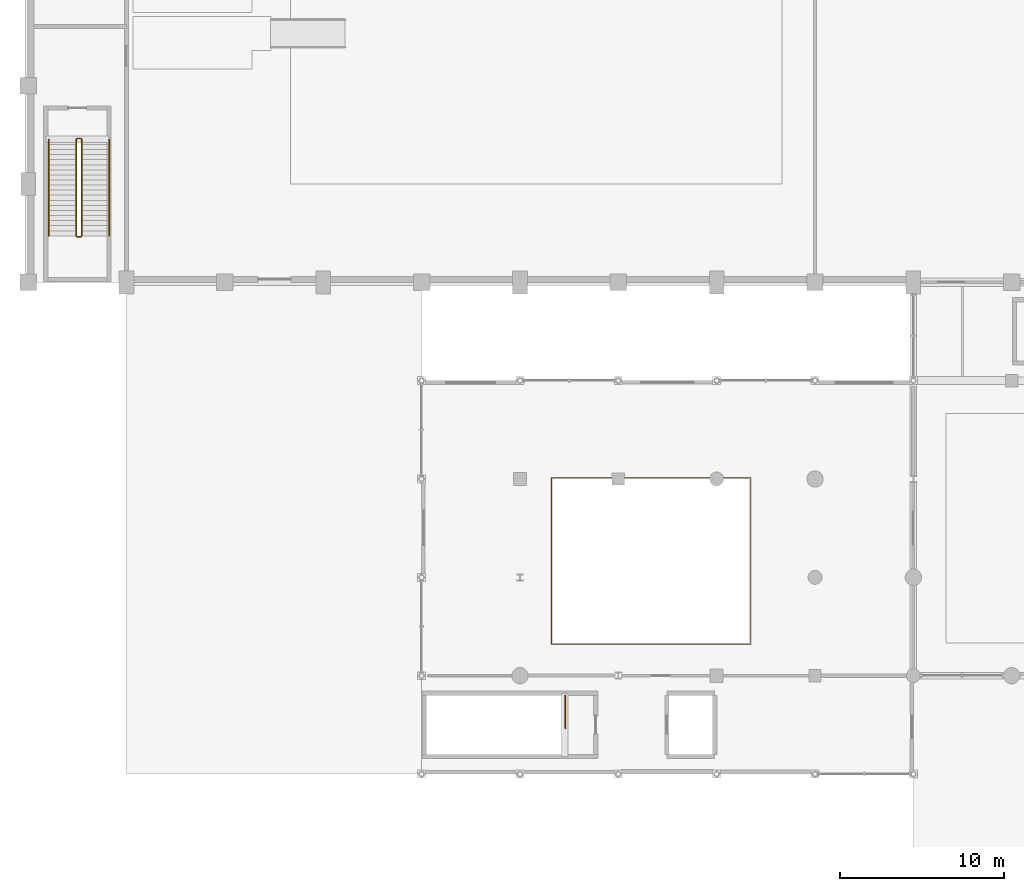
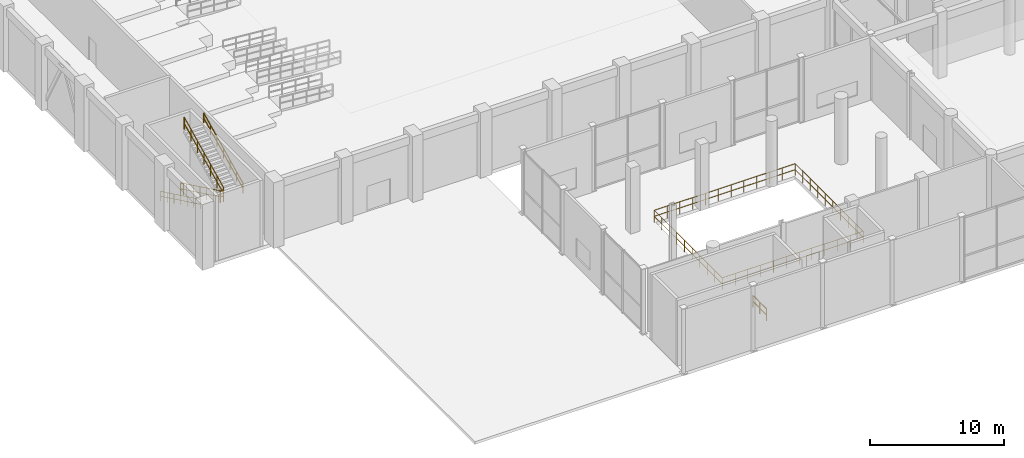
# One storey, part 97 of 106: 8 railings.
"""IFC4 building model written with IfcOpenShell, lengths in metres."""

from ifc_helpers import new_model, si_unit, direction, frame, origin, origin_2d, place, context, subcontext, project, spatial, circle, extrude, material, type_object, element, save


model = new_model("IFC4")

# Units and contexts
model_context = context("Model", 3, precision=1e-05, world=origin(), true_north=direction((0.0, 1.0)))
body_context = subcontext(model_context, "Body", "Model", "MODEL_VIEW")
ifc_project = project(units=[si_unit("LENGTHUNIT", "METRE"), si_unit("AREAUNIT", "SQUARE_METRE"), si_unit("VOLUMEUNIT", "CUBIC_METRE"), si_unit("PLANEANGLEUNIT", "RADIAN"), si_unit("MASSUNIT", "GRAM", prefix="KILO"), si_unit("THERMODYNAMICTEMPERATUREUNIT", "KELVIN"), si_unit("POWERUNIT", "WATT")], contexts=[model_context])

# Site, building, storey
site_placement = place(None, origin())
site = spatial("IfcSite", under=ifc_project, at=site_placement, CompositionType="ELEMENT")
building_placement = place(site_placement, origin())
building = spatial("IfcBuilding", under=site, at=building_placement, Name="Phaisarnlok Congress Hotel", CompositionType="ELEMENT")
storey_placement = place(building_placement, origin())
storey = spatial("IfcBuildingStorey", under=building, at=storey_placement, Name="L00", CompositionType="ELEMENT", Elevation=0.0)

# Railings
ifc_material_1 = material(Name="Laminated Glass & Stainless Steel Grade 316", Category="steel")
railing_type_1 = type_object("IfcRailingType", Name="RLG-INT-1100", PredefinedType="BALUSTRADE", material=ifc_material_1)
railing_1_placement = place(storey_placement, frame((44.080078125, 19.919921875, 0.0)))
element("IfcRailing", 1, at=railing_1_placement, inside=storey, type_object=railing_type_1, Name="Atrium gallery guard balustrade GD-02 (L00 v6_mrt)", PredefinedType="BALUSTRADE", context=body_context, shape_type="SweptSolid", body=[
    extrude(circle(Radius=0.02392578125, at=origin_2d()), frame((0.0, 0.0, 1.076171875), z_axis=(0.0, 1.0, 0.0), x_axis=(-1.0, 0.0, 0.0)), (0.0, 0.0, 1.0), 10.16015625),
    extrude(circle(Radius=0.02392578125, at=origin_2d()), frame((0.0, 0.0, 0.52587890625), z_axis=(0.0, 1.0, 0.0), x_axis=(-1.0, 0.0, 0.0)), (0.0, 0.0, 1.0), 10.16015625),
    extrude(circle(Radius=0.02392578125, at=origin_2d()), frame((0.0, 10.16015625, 1.076171875), z_axis=(-1.0, 0.0, 0.0), x_axis=(0.0, -1.0, 0.0)), (0.0, 0.0, 1.0), 12.16015625),
    extrude(circle(Radius=0.02392578125, at=origin_2d()), frame((0.0, 10.16015625, 0.52587890625), z_axis=(-1.0, 0.0, 0.0), x_axis=(0.0, -1.0, 0.0)), (0.0, 0.0, 1.0), 12.16015625),
    extrude(circle(Radius=0.02392578125, at=origin_2d()), frame((-12.16015625, 10.16015625, 1.076171875), z_axis=(0.0, -1.0, 0.0), x_axis=(1.0, 0.0, 0.0)), (0.0, 0.0, 1.0), 10.16015625),
    extrude(circle(Radius=0.02392578125, at=origin_2d()), frame((-12.16015625, 10.16015625, 0.52587890625), z_axis=(0.0, -1.0, 0.0), x_axis=(1.0, 0.0, 0.0)), (0.0, 0.0, 1.0), 10.16015625),
    extrude(circle(Radius=0.02392578125, at=origin_2d()), frame((-12.16015625, 0.0, 1.076171875), z_axis=(1.0, 0.0, 0.0), x_axis=(0.0, 1.0, 0.0)), (0.0, 0.0, 1.0), 12.16015625),
    extrude(circle(Radius=0.02392578125, at=origin_2d()), frame((-12.16015625, 0.0, 0.52587890625), z_axis=(1.0, 0.0, 0.0), x_axis=(0.0, 1.0, 0.0)), (0.0, 0.0, 1.0), 12.16015625),
    extrude(circle(Radius=0.02099609375, at=origin_2d()), origin(), (0.0, 0.0, 1.0), 1.052001953125),
    extrude(circle(Radius=0.02099609375, at=origin_2d()), frame((0.0, 1.12890625, 0.0)), (0.0, 0.0, 1.0), 1.052001953125),
    extrude(circle(Radius=0.02099609375, at=origin_2d()), frame((0.0, 2.2578125, 0.0)), (0.0, 0.0, 1.0), 1.052001953125),
    extrude(circle(Radius=0.02099609375, at=origin_2d()), frame((0.0, 3.38671875, 0.0)), (0.0, 0.0, 1.0), 1.052001953125),
    extrude(circle(Radius=0.02099609375, at=origin_2d()), frame((0.0, 4.515625, 0.0)), (0.0, 0.0, 1.0), 1.052001953125),
    extrude(circle(Radius=0.02099609375, at=origin_2d()), frame((0.0, 5.64453125, 0.0)), (0.0, 0.0, 1.0), 1.052001953125),
    extrude(circle(Radius=0.02099609375, at=origin_2d()), frame((0.0, 6.7734375, 0.0)), (0.0, 0.0, 1.0), 1.052001953125),
    extrude(circle(Radius=0.02099609375, at=origin_2d()), frame((0.0, 7.90234375, 0.0)), (0.0, 0.0, 1.0), 1.052001953125),
    extrude(circle(Radius=0.02099609375, at=origin_2d()), frame((0.0, 9.03125, 0.0)), (0.0, 0.0, 1.0), 1.052001953125),
    extrude(circle(Radius=0.02099609375, at=origin_2d()), frame((0.0, 10.16015625, 0.0)), (0.0, 0.0, 1.0), 1.052001953125),
    extrude(circle(Radius=0.02099609375, at=origin_2d()), frame((-1.10546875, 10.16015625, 0.0)), (0.0, 0.0, 1.0), 1.052001953125),
    extrude(circle(Radius=0.02099609375, at=origin_2d()), frame((-2.2109375, 10.16015625, 0.0)), (0.0, 0.0, 1.0), 1.052001953125),
    extrude(circle(Radius=0.02099609375, at=origin_2d()), frame((-3.31640625, 10.16015625, 0.0)), (0.0, 0.0, 1.0), 1.052001953125),
    extrude(circle(Radius=0.02099609375, at=origin_2d()), frame((-4.421875, 10.16015625, 0.0)), (0.0, 0.0, 1.0), 1.052001953125),
    extrude(circle(Radius=0.02099609375, at=origin_2d()), frame((-5.52734375, 10.16015625, 0.0)), (0.0, 0.0, 1.0), 1.052001953125),
    extrude(circle(Radius=0.02099609375, at=origin_2d()), frame((-6.6328125, 10.16015625, 0.0)), (0.0, 0.0, 1.0), 1.052001953125),
    extrude(circle(Radius=0.02099609375, at=origin_2d()), frame((-7.73828125, 10.16015625, 0.0)), (0.0, 0.0, 1.0), 1.052001953125),
    extrude(circle(Radius=0.02099609375, at=origin_2d()), frame((-8.84375, 10.16015625, 0.0)), (0.0, 0.0, 1.0), 1.052001953125),
    extrude(circle(Radius=0.02099609375, at=origin_2d()), frame((-9.94921875, 10.16015625, 0.0)), (0.0, 0.0, 1.0), 1.052001953125),
    extrude(circle(Radius=0.02099609375, at=origin_2d()), frame((-11.0546875, 10.16015625, 0.0)), (0.0, 0.0, 1.0), 1.052001953125),
    extrude(circle(Radius=0.02099609375, at=origin_2d()), frame((-12.16015625, 10.16015625, 0.0)), (0.0, 0.0, 1.0), 1.052001953125),
    extrude(circle(Radius=0.02099609375, at=origin_2d()), frame((-12.16015625, 9.03125, 0.0)), (0.0, 0.0, 1.0), 1.052001953125),
    extrude(circle(Radius=0.02099609375, at=origin_2d()), frame((-12.16015625, 7.90234375, 0.0)), (0.0, 0.0, 1.0), 1.052001953125),
    extrude(circle(Radius=0.02099609375, at=origin_2d()), frame((-12.16015625, 6.7734375, 0.0)), (0.0, 0.0, 1.0), 1.052001953125),
    extrude(circle(Radius=0.02099609375, at=origin_2d()), frame((-12.16015625, 5.64453125, 0.0)), (0.0, 0.0, 1.0), 1.052001953125),
    extrude(circle(Radius=0.02099609375, at=origin_2d()), frame((-12.16015625, 4.515625, 0.0)), (0.0, 0.0, 1.0), 1.052001953125),
    extrude(circle(Radius=0.02099609375, at=origin_2d()), frame((-12.16015625, 3.38671875, 0.0)), (0.0, 0.0, 1.0), 1.052001953125),
    extrude(circle(Radius=0.02099609375, at=origin_2d()), frame((-12.16015625, 2.2578125, 0.0)), (0.0, 0.0, 1.0), 1.052001953125),
    extrude(circle(Radius=0.02099609375, at=origin_2d()), frame((-12.16015625, 1.12890625, 0.0)), (0.0, 0.0, 1.0), 1.052001953125),
    extrude(circle(Radius=0.02099609375, at=origin_2d()), frame((-12.16015625, 0.0, 0.0)), (0.0, 0.0, 1.0), 1.052001953125),
    extrude(circle(Radius=0.02099609375, at=origin_2d()), frame((-11.0546875, 0.0, 0.0)), (0.0, 0.0, 1.0), 1.052001953125),
    extrude(circle(Radius=0.02099609375, at=origin_2d()), frame((-9.94921875, 0.0, 0.0)), (0.0, 0.0, 1.0), 1.052001953125),
    extrude(circle(Radius=0.02099609375, at=origin_2d()), frame((-8.84375, 0.0, 0.0)), (0.0, 0.0, 1.0), 1.052001953125),
    extrude(circle(Radius=0.02099609375, at=origin_2d()), frame((-7.73828125, 0.0, 0.0)), (0.0, 0.0, 1.0), 1.052001953125),
    extrude(circle(Radius=0.02099609375, at=origin_2d()), frame((-6.6328125, 0.0, 0.0)), (0.0, 0.0, 1.0), 1.052001953125),
    extrude(circle(Radius=0.02099609375, at=origin_2d()), frame((-5.52734375, 0.0, 0.0)), (0.0, 0.0, 1.0), 1.052001953125),
    extrude(circle(Radius=0.02099609375, at=origin_2d()), frame((-4.421875, 0.0, 0.0)), (0.0, 0.0, 1.0), 1.052001953125),
    extrude(circle(Radius=0.02099609375, at=origin_2d()), frame((-3.31640625, 0.0, 0.0)), (0.0, 0.0, 1.0), 1.052001953125),
    extrude(circle(Radius=0.02099609375, at=origin_2d()), frame((-2.2109375, 0.0, 0.0)), (0.0, 0.0, 1.0), 1.052001953125),
    extrude(circle(Radius=0.02099609375, at=origin_2d()), frame((-1.10546875, 0.0, 0.0)), (0.0, 0.0, 1.0), 1.052001953125),
])
ifc_material_2 = material(Name="Painted Galvanised Steel S275", Category="steel")
railing_type_2 = type_object("IfcRailingType", Name="RLG-STR-GUARD", PredefinedType="BALUSTRADE", material=ifc_material_2)
railing_2_placement = place(storey_placement, frame((2.929931640625, 50.719970703125, 0.14990234375)))
element("IfcRailing", 2, at=railing_2_placement, inside=storey, type_object=railing_type_2, Name="L00 ST-03 stair guard 1", PredefinedType="BALUSTRADE", context=body_context, shape_type="SweptSolid", body=[
    extrude(circle(Radius=0.02392578125, at=origin_2d()), frame((0.0, 0.0, 1.076171875), z_axis=(0.0, -0.900150285036, 0.435579458135), x_axis=(1.0, 0.0, 0.0)), (0.0, 0.0, 1.0), 6.543212890625),
    extrude(circle(Radius=0.02392578125, at=origin_2d()), frame((0.0, 0.0, 0.52587890625), z_axis=(0.0, -0.900150285036, 0.435579458135), x_axis=(1.0, 0.0, 0.0)), (0.0, 0.0, 1.0), 6.543212890625),
    extrude(circle(Radius=0.02099609375, at=origin_2d()), origin(), (0.0, 0.0, 1.0), 1.052001953125),
    extrude(circle(Radius=0.02099609375, at=origin_2d()), frame((0.0, -0.981689453125, 0.47509765625)), (0.0, 0.0, 1.0), 1.052001953125),
    extrude(circle(Radius=0.02099609375, at=origin_2d()), frame((0.0, -1.96337890625, 0.949951171875)), (0.0, 0.0, 1.0), 1.052001953125),
    extrude(circle(Radius=0.02099609375, at=origin_2d()), frame((0.0, -2.94482421875, 1.425048828125)), (0.0, 0.0, 1.0), 1.052001953125),
    extrude(circle(Radius=0.02099609375, at=origin_2d()), frame((0.0, -3.926513671875, 1.900146484375)), (0.0, 0.0, 1.0), 1.052001953125),
    extrude(circle(Radius=0.02099609375, at=origin_2d()), frame((0.0, -4.908203125, 2.375)), (0.0, 0.0, 1.0), 1.052001953125),
    extrude(circle(Radius=0.02099609375, at=origin_2d()), frame((0.0, -5.889892578125, 2.85009765625)), (0.0, 0.0, 1.0), 1.052001953125),
])
railing_3_placement = place(storey_placement, frame((2.97998046875, 44.780029296875, 3.0)))
element("IfcRailing", 3, at=railing_3_placement, inside=storey, type_object=railing_type_2, Name="L00 ST-03 stair guard 2", PredefinedType="BALUSTRADE", context=body_context, shape_type="SweptSolid", body=[
    extrude(circle(Radius=0.02392578125, at=origin_2d()), frame((0.0, 0.0, 1.076171875), z_axis=(1.0, 0.0, 0.0), x_axis=(0.0, 1.0, 0.0)), (0.0, 0.0, 1.0), 0.239990234375),
    extrude(circle(Radius=0.02392578125, at=origin_2d()), frame((0.0, 0.0, 0.52587890625), z_axis=(1.0, 0.0, 0.0), x_axis=(0.0, 1.0, 0.0)), (0.0, 0.0, 1.0), 0.239990234375),
    extrude(circle(Radius=0.02099609375, at=origin_2d()), origin(), (0.0, 0.0, 1.0), 1.052001953125),
    extrude(circle(Radius=0.02099609375, at=origin_2d()), frame((0.239990234375, 0.0, 0.0)), (0.0, 0.0, 1.0), 1.052001953125),
])
railing_4_placement = place(storey_placement, frame((3.27001953125, 44.830078125, 3.14990234375)))
element("IfcRailing", 4, at=railing_4_placement, inside=storey, type_object=railing_type_2, Name="L00 ST-03 stair guard 3", PredefinedType="BALUSTRADE", context=body_context, shape_type="SweptSolid", body=[
    extrude(circle(Radius=0.02392578125, at=origin_2d()), frame((0.0, 0.0, 1.076171875), z_axis=(0.0, 0.900150285036, 0.435579458135), x_axis=(-1.0, 0.0, 0.0)), (0.0, 0.0, 1.0), 6.543212890625),
    extrude(circle(Radius=0.02392578125, at=origin_2d()), frame((0.0, 0.0, 0.52587890625), z_axis=(0.0, 0.900150285036, 0.435579458135), x_axis=(-1.0, 0.0, 0.0)), (0.0, 0.0, 1.0), 6.543212890625),
    extrude(circle(Radius=0.02099609375, at=origin_2d()), origin(), (0.0, 0.0, 1.0), 1.052001953125),
    extrude(circle(Radius=0.02099609375, at=origin_2d()), frame((0.0, 0.981689453125, 0.47509765625)), (0.0, 0.0, 1.0), 1.052001953125),
    extrude(circle(Radius=0.02099609375, at=origin_2d()), frame((0.0, 1.96337890625, 0.949951171875)), (0.0, 0.0, 1.0), 1.052001953125),
    extrude(circle(Radius=0.02099609375, at=origin_2d()), frame((0.0, 2.94482421875, 1.425048828125)), (0.0, 0.0, 1.0), 1.052001953125),
    extrude(circle(Radius=0.02099609375, at=origin_2d()), frame((0.0, 3.926513671875, 1.900146484375)), (0.0, 0.0, 1.0), 1.052001953125),
    extrude(circle(Radius=0.02099609375, at=origin_2d()), frame((0.0, 4.908203125, 2.375)), (0.0, 0.0, 1.0), 1.052001953125),
    extrude(circle(Radius=0.02099609375, at=origin_2d()), frame((0.0, 5.889892578125, 2.85009765625)), (0.0, 0.0, 1.0), 1.052001953125),
])
railing_5_placement = place(storey_placement, frame((2.97998046875, 50.77001953125, 0.0)))
element("IfcRailing", 5, at=railing_5_placement, inside=storey, type_object=railing_type_2, Name="L00 ST-03 stair guard 4", PredefinedType="BALUSTRADE", context=body_context, shape_type="SweptSolid", body=[
    extrude(circle(Radius=0.02392578125, at=origin_2d()), frame((0.0, 0.0, 1.076171875), z_axis=(1.0, 0.0, 0.0), x_axis=(0.0, 1.0, 0.0)), (0.0, 0.0, 1.0), 0.239990234375),
    extrude(circle(Radius=0.02392578125, at=origin_2d()), frame((0.0, 0.0, 0.52587890625), z_axis=(1.0, 0.0, 0.0), x_axis=(0.0, 1.0, 0.0)), (0.0, 0.0, 1.0), 0.239990234375),
    extrude(circle(Radius=0.02099609375, at=origin_2d()), origin(), (0.0, 0.0, 1.0), 1.052001953125),
    extrude(circle(Radius=0.02099609375, at=origin_2d()), frame((0.239990234375, 0.0, 0.0)), (0.0, 0.0, 1.0), 1.052001953125),
])
railing_6_placement = place(storey_placement, frame((32.77001953125, 16.800048828125, 0.0)))
element("IfcRailing", 6, at=railing_6_placement, inside=storey, type_object=railing_type_2, Name="L00 ST-08 top well guard 1", PredefinedType="BALUSTRADE", context=body_context, shape_type="SweptSolid", body=[
    extrude(circle(Radius=0.02392578125, at=origin_2d()), frame((0.0, 0.0, 1.076171875), z_axis=(0.0, -1.0, 0.0), x_axis=(1.0, 0.0, 0.0)), (0.0, 0.0, 1.0), 2.02001953125),
    extrude(circle(Radius=0.02392578125, at=origin_2d()), frame((0.0, 0.0, 0.52587890625), z_axis=(0.0, -1.0, 0.0), x_axis=(1.0, 0.0, 0.0)), (0.0, 0.0, 1.0), 2.02001953125),
    extrude(circle(Radius=0.02099609375, at=origin_2d()), origin(), (0.0, 0.0, 1.0), 1.052001953125),
    extrude(circle(Radius=0.02099609375, at=origin_2d()), frame((0.0, -1.010009765625, 0.0)), (0.0, 0.0, 1.0), 1.052001953125),
    extrude(circle(Radius=0.02099609375, at=origin_2d()), frame((0.0, -2.02001953125, 0.0)), (0.0, 0.0, 1.0), 1.052001953125),
])
ifc_material_3 = material(Name="Brushed Stainless Steel Grade 304", Category="steel")
railing_type_3 = type_object("IfcRailingType", Name="RLG-STR-HRAIL", PredefinedType="HANDRAIL", material=ifc_material_3)
railing_7_placement = place(storey_placement, frame((1.25, 50.719970703125, 0.14990234375)))
element("IfcRailing", 7, at=railing_7_placement, inside=storey, type_object=railing_type_3, Name="L00 ST-03 stair handrail 1", PredefinedType="HANDRAIL", context=body_context, shape_type="SweptSolid", body=[
    extrude(circle(Radius=0.02392578125, at=origin_2d()), frame((0.0, 0.0, 0.8759765625), z_axis=(0.0, -0.900150285036, 0.435579458135), x_axis=(1.0, 0.0, 0.0)), (0.0, 0.0, 1.0), 6.543212890625),
    extrude(circle(Radius=0.02392578125, at=origin_2d()), frame((0.0, 0.0, 0.42578125), z_axis=(0.0, -0.900150285036, 0.435579458135), x_axis=(1.0, 0.0, 0.0)), (0.0, 0.0, 1.0), 6.543212890625),
    extrude(circle(Radius=0.02099609375, at=origin_2d()), origin(), (0.0, 0.0, 1.0), 0.851806640625),
    extrude(circle(Radius=0.02099609375, at=origin_2d()), frame((0.0, -0.981689453125, 0.47509765625)), (0.0, 0.0, 1.0), 0.851806640625),
    extrude(circle(Radius=0.02099609375, at=origin_2d()), frame((0.0, -1.96337890625, 0.949951171875)), (0.0, 0.0, 1.0), 0.851806640625),
    extrude(circle(Radius=0.02099609375, at=origin_2d()), frame((0.0, -2.94482421875, 1.425048828125)), (0.0, 0.0, 1.0), 0.851806640625),
    extrude(circle(Radius=0.02099609375, at=origin_2d()), frame((0.0, -3.926513671875, 1.900146484375)), (0.0, 0.0, 1.0), 0.851806640625),
    extrude(circle(Radius=0.02099609375, at=origin_2d()), frame((0.0, -4.908203125, 2.375)), (0.0, 0.0, 1.0), 0.851806640625),
    extrude(circle(Radius=0.02099609375, at=origin_2d()), frame((0.0, -5.889892578125, 2.85009765625)), (0.0, 0.0, 1.0), 0.851806640625),
])
railing_8_placement = place(storey_placement, frame((4.949951171875, 44.830078125, 3.14990234375)))
element("IfcRailing", 8, at=railing_8_placement, inside=storey, type_object=railing_type_3, Name="L00 ST-03 stair handrail 2", PredefinedType="HANDRAIL", context=body_context, shape_type="SweptSolid", body=[
    extrude(circle(Radius=0.02392578125, at=origin_2d()), frame((0.0, 0.0, 0.8759765625), z_axis=(0.0, 0.900150285036, 0.435579458135), x_axis=(-1.0, 0.0, 0.0)), (0.0, 0.0, 1.0), 6.543212890625),
    extrude(circle(Radius=0.02392578125, at=origin_2d()), frame((0.0, 0.0, 0.42578125), z_axis=(0.0, 0.900150285036, 0.435579458135), x_axis=(-1.0, 0.0, 0.0)), (0.0, 0.0, 1.0), 6.543212890625),
    extrude(circle(Radius=0.02099609375, at=origin_2d()), origin(), (0.0, 0.0, 1.0), 0.851806640625),
    extrude(circle(Radius=0.02099609375, at=origin_2d()), frame((0.0, 0.981689453125, 0.47509765625)), (0.0, 0.0, 1.0), 0.851806640625),
    extrude(circle(Radius=0.02099609375, at=origin_2d()), frame((0.0, 1.96337890625, 0.949951171875)), (0.0, 0.0, 1.0), 0.851806640625),
    extrude(circle(Radius=0.02099609375, at=origin_2d()), frame((0.0, 2.94482421875, 1.425048828125)), (0.0, 0.0, 1.0), 0.851806640625),
    extrude(circle(Radius=0.02099609375, at=origin_2d()), frame((0.0, 3.926513671875, 1.900146484375)), (0.0, 0.0, 1.0), 0.851806640625),
    extrude(circle(Radius=0.02099609375, at=origin_2d()), frame((0.0, 4.908203125, 2.375)), (0.0, 0.0, 1.0), 0.851806640625),
    extrude(circle(Radius=0.02099609375, at=origin_2d()), frame((0.0, 5.889892578125, 2.85009765625)), (0.0, 0.0, 1.0), 0.851806640625),
])

save(model, "model.ifc")
